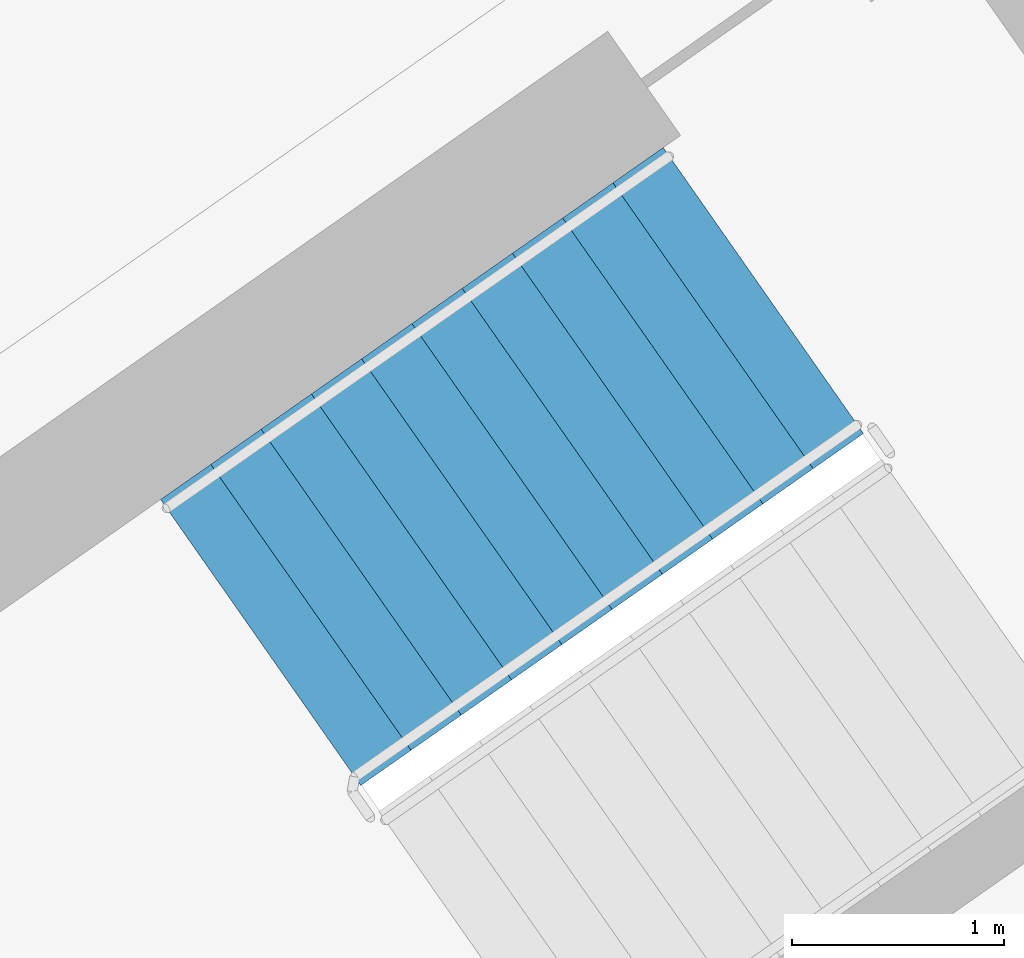
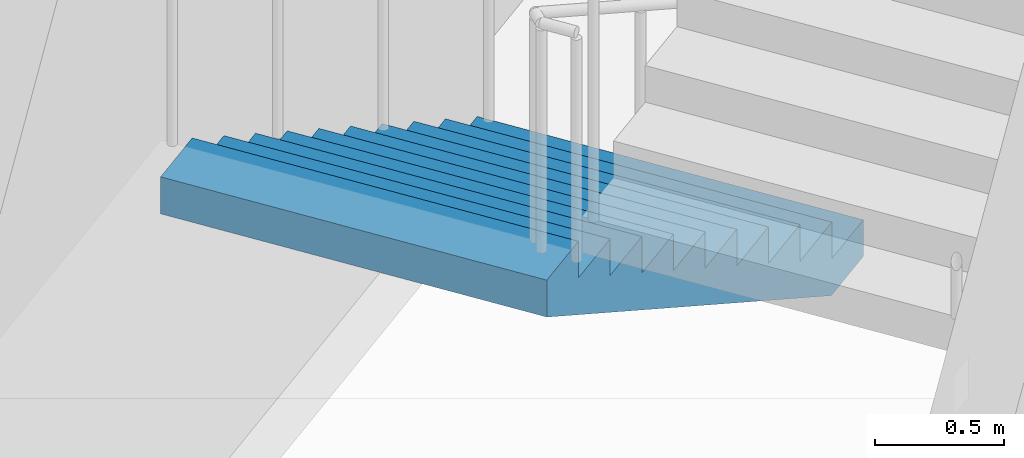
# One storey, part 16 of 27: 1 stair flight, 1 element without a shape of its own.
"""IFC4 building model written with IfcOpenShell, lengths in metres."""

from ifc_helpers import new_model, si_unit, direction, frame, origin, place, context, subcontext, project, spatial, faceted_brep, material, type_object, element, aggregate, save


model = new_model("IFC4")

# Units and contexts
model_context = context("Model", 3, precision=1e-05, world=origin(), true_north=direction((0.0, 1.0)))
body_context = subcontext(model_context, "Body", "Model", "MODEL_VIEW")
ifc_project = project(units=[si_unit("LENGTHUNIT", "METRE"), si_unit("AREAUNIT", "SQUARE_METRE"), si_unit("VOLUMEUNIT", "CUBIC_METRE"), si_unit("PLANEANGLEUNIT", "RADIAN"), si_unit("MASSUNIT", "GRAM", prefix="KILO")], contexts=[model_context])

# Site, building, storey
site_placement = place(None, origin())
site = spatial("IfcSite", under=ifc_project, at=site_placement, CompositionType="ELEMENT")
building_placement = place(site_placement, origin())
building = spatial("IfcBuilding", under=site, at=building_placement, Name="Qamariyya Broadcast Tower", CompositionType="ELEMENT")
storey_placement = place(building_placement, frame((0.0, 0.0, 172.10009765625)))
storey = spatial("IfcBuildingStorey", under=building, at=storey_placement, Name="L40", CompositionType="ELEMENT", Elevation=172.10009765625)

# Stair, stair flight
ifc_material = material(Name="Concrete C50/60", Category="concrete")
stair_type = type_object("IfcStairType", Name="Exit stair 22 risers of 173 mm", PredefinedType="HALF_TURN_STAIR", material=ifc_material)
stair_placement = place(storey_placement, origin())
stair = element("IfcStair", 1, at=stair_placement, inside=storey, type_object=stair_type, Name="L40 Stair E2", PredefinedType="HALF_TURN_STAIR")
stair_flight_type = type_object("IfcStairFlightType", Name="Exit stair flight 11 risers of 173 mm", PredefinedType="STRAIGHT", material=ifc_material)
stair_flight_placement = place(storey_placement, frame((40.558837890625, -47.685302734375, 0.0), z_axis=(0.0, 0.0, 1.0), x_axis=(-0.819152044289, -0.573576436351, 0.0)))
stair_flight = element("IfcStairFlight", 2, at=stair_flight_placement, type_object=stair_flight_type, Name="ST-E2 flight 1", NumberOfRisers=11, NumberOfTreads=10, PredefinedType="STRAIGHT", RiserHeight=0.172727273, TreadLength=0.29, context=body_context, shape_type="Brep", body=[
    faceted_brep([(0.0, 0.824951171875, 0.0), (0.0, 0.824951171875, 0.172607421875), (0.2900390625, 0.824951171875, 0.172607421875), (0.2900390625, 0.824951171875, 0.345458984375), (0.580078125, 0.824951171875, 0.345458984375), (0.580078125, 0.824951171875, 0.51806640625), (0.8701171875, 0.824951171875, 0.51806640625), (0.8701171875, 0.824951171875, 0.69091796875), (1.159912109375, 0.824951171875, 0.69091796875), (1.159912109375, 0.824951171875, 0.863525390625), (1.449951171875, 0.824951171875, 0.863525390625), (1.449951171875, 0.824951171875, 1.036376953125), (1.739990234375, 0.824951171875, 1.036376953125), (1.739990234375, 0.824951171875, 1.208984375), (2.030029296875, 0.824951171875, 1.208984375), (2.030029296875, 0.824951171875, 1.3818359375), (2.320068359375, 0.824951171875, 1.3818359375), (2.320068359375, 0.824951171875, 1.554443359375), (2.610107421875, 0.824951171875, 1.554443359375), (2.610107421875, 0.824951171875, 1.727294921875), (2.89990234375, 0.824951171875, 1.727294921875), (2.89990234375, 0.824951171875, 1.552734375), (0.29296875, 0.824951171875, 0.0), (0.29296875, -0.824951171875, 0.0), (2.89990234375, -0.824951171875, 1.552734375), (2.89990234375, -0.824951171875, 1.727294921875), (2.610107421875, -0.824951171875, 1.727294921875), (2.610107421875, -0.824951171875, 1.554443359375), (2.320068359375, -0.824951171875, 1.554443359375), (2.320068359375, -0.824951171875, 1.3818359375), (2.030029296875, -0.824951171875, 1.3818359375), (2.030029296875, -0.824951171875, 1.208984375), (1.739990234375, -0.824951171875, 1.208984375), (1.739990234375, -0.824951171875, 1.036376953125), (1.449951171875, -0.824951171875, 1.036376953125), (1.449951171875, -0.824951171875, 0.863525390625), (1.159912109375, -0.824951171875, 0.863525390625), (1.159912109375, -0.824951171875, 0.69091796875), (0.8701171875, -0.824951171875, 0.69091796875), (0.8701171875, -0.824951171875, 0.51806640625), (0.580078125, -0.824951171875, 0.51806640625), (0.580078125, -0.824951171875, 0.345458984375), (0.2900390625, -0.824951171875, 0.345458984375), (0.2900390625, -0.824951171875, 0.172607421875), (0.0, -0.824951171875, 0.172607421875), (0.0, -0.824951171875, 0.0), (0.0, 0.10009765625, 0.0), (0.0, 0.086669921875, 0.0), (0.0, 0.0732421875, 0.0), (0.0, 0.06005859375, 0.0), (0.0, 0.046630859375, 0.0), (0.0, 0.033447265625, 0.0), (0.0, 0.02001953125, 0.0), (0.0, 0.006591796875, 0.0), (0.0, -0.006591796875, 0.0), (0.0, -0.02001953125, 0.0), (0.0, -0.033447265625, 0.0), (0.0, -0.046630859375, 0.0), (0.0, -0.06005859375, 0.0), (0.0, -0.0732421875, 0.0), (0.0, -0.086669921875, 0.0), (0.0, -0.10009765625, 0.0), (0.0, -0.10009765625, 0.172607421875), (0.0, -0.086669921875, 0.172607421875), (0.0, -0.0732421875, 0.172607421875), (0.0, -0.06005859375, 0.172607421875), (0.0, -0.046630859375, 0.172607421875), (0.0, -0.033447265625, 0.172607421875), (0.0, -0.02001953125, 0.172607421875), (0.0, -0.006591796875, 0.172607421875), (0.0, 0.006591796875, 0.172607421875), (0.0, 0.02001953125, 0.172607421875), (0.0, 0.033447265625, 0.172607421875), (0.0, 0.046630859375, 0.172607421875), (0.0, 0.06005859375, 0.172607421875), (0.0, 0.0732421875, 0.172607421875), (0.0, 0.086669921875, 0.172607421875), (0.0, 0.10009765625, 0.172607421875), (0.2900390625, -0.10009765625, 0.172607421875), (0.2900390625, -0.086669921875, 0.172607421875), (0.2900390625, -0.0732421875, 0.172607421875), (0.2900390625, -0.06005859375, 0.172607421875), (0.2900390625, -0.046630859375, 0.172607421875), (0.2900390625, -0.033447265625, 0.172607421875), (0.2900390625, -0.02001953125, 0.172607421875), (0.2900390625, -0.006591796875, 0.172607421875), (0.2900390625, 0.006591796875, 0.172607421875), (0.2900390625, 0.02001953125, 0.172607421875), (0.2900390625, 0.033447265625, 0.172607421875), (0.2900390625, 0.046630859375, 0.172607421875), (0.2900390625, 0.06005859375, 0.172607421875), (0.2900390625, 0.0732421875, 0.172607421875), (0.2900390625, 0.086669921875, 0.172607421875), (0.2900390625, 0.10009765625, 0.172607421875), (0.2900390625, -0.10009765625, 0.345458984375), (0.2900390625, -0.086669921875, 0.345458984375), (0.2900390625, -0.0732421875, 0.345458984375), (0.2900390625, -0.06005859375, 0.345458984375), (0.2900390625, -0.046630859375, 0.345458984375), (0.2900390625, -0.033447265625, 0.345458984375), (0.2900390625, -0.02001953125, 0.345458984375), (0.2900390625, -0.006591796875, 0.345458984375), (0.2900390625, 0.006591796875, 0.345458984375), (0.2900390625, 0.02001953125, 0.345458984375), (0.2900390625, 0.033447265625, 0.345458984375), (0.2900390625, 0.046630859375, 0.345458984375), (0.2900390625, 0.06005859375, 0.345458984375), (0.2900390625, 0.0732421875, 0.345458984375), (0.2900390625, 0.086669921875, 0.345458984375), (0.2900390625, 0.10009765625, 0.345458984375), (0.580078125, -0.10009765625, 0.345458984375), (0.580078125, -0.086669921875, 0.345458984375), (0.580078125, -0.0732421875, 0.345458984375), (0.580078125, -0.06005859375, 0.345458984375), (0.580078125, -0.046630859375, 0.345458984375), (0.580078125, -0.033447265625, 0.345458984375), (0.580078125, -0.02001953125, 0.345458984375), (0.580078125, -0.006591796875, 0.345458984375), (0.580078125, 0.006591796875, 0.345458984375), (0.580078125, 0.02001953125, 0.345458984375), (0.580078125, 0.033447265625, 0.345458984375), (0.580078125, 0.046630859375, 0.345458984375), (0.580078125, 0.06005859375, 0.345458984375), (0.580078125, 0.0732421875, 0.345458984375), (0.580078125, 0.086669921875, 0.345458984375), (0.580078125, 0.10009765625, 0.345458984375), (0.580078125, -0.10009765625, 0.51806640625), (0.580078125, -0.086669921875, 0.51806640625), (0.580078125, -0.0732421875, 0.51806640625), (0.580078125, -0.06005859375, 0.51806640625), (0.580078125, -0.046630859375, 0.51806640625), (0.580078125, -0.033447265625, 0.51806640625), (0.580078125, -0.02001953125, 0.51806640625), (0.580078125, -0.006591796875, 0.51806640625), (0.580078125, 0.006591796875, 0.51806640625), (0.580078125, 0.02001953125, 0.51806640625), (0.580078125, 0.033447265625, 0.51806640625), (0.580078125, 0.046630859375, 0.51806640625), (0.580078125, 0.06005859375, 0.51806640625), (0.580078125, 0.0732421875, 0.51806640625), (0.580078125, 0.086669921875, 0.51806640625), (0.580078125, 0.10009765625, 0.51806640625), (0.8701171875, -0.10009765625, 0.51806640625), (0.8701171875, -0.086669921875, 0.51806640625), (0.8701171875, -0.0732421875, 0.51806640625), (0.8701171875, -0.06005859375, 0.51806640625), (0.8701171875, -0.046630859375, 0.51806640625), (0.8701171875, -0.033447265625, 0.51806640625), (0.8701171875, -0.02001953125, 0.51806640625), (0.8701171875, -0.006591796875, 0.51806640625), (0.8701171875, 0.006591796875, 0.51806640625), (0.8701171875, 0.02001953125, 0.51806640625), (0.8701171875, 0.033447265625, 0.51806640625), (0.8701171875, 0.046630859375, 0.51806640625), (0.8701171875, 0.06005859375, 0.51806640625), (0.8701171875, 0.0732421875, 0.51806640625), (0.8701171875, 0.086669921875, 0.51806640625), (0.8701171875, 0.10009765625, 0.51806640625), (0.8701171875, -0.10009765625, 0.69091796875), (0.8701171875, -0.086669921875, 0.69091796875), (0.8701171875, -0.0732421875, 0.69091796875), (0.8701171875, -0.06005859375, 0.69091796875), (0.8701171875, -0.046630859375, 0.69091796875), (0.8701171875, -0.033447265625, 0.69091796875), (0.8701171875, -0.02001953125, 0.69091796875), (0.8701171875, -0.006591796875, 0.69091796875), (0.8701171875, 0.006591796875, 0.69091796875), (0.8701171875, 0.02001953125, 0.69091796875), (0.8701171875, 0.033447265625, 0.69091796875), (0.8701171875, 0.046630859375, 0.69091796875), (0.8701171875, 0.06005859375, 0.69091796875), (0.8701171875, 0.0732421875, 0.69091796875), (0.8701171875, 0.086669921875, 0.69091796875), (0.8701171875, 0.10009765625, 0.69091796875), (1.159912109375, -0.10009765625, 0.69091796875), (1.159912109375, -0.086669921875, 0.69091796875), (1.159912109375, -0.0732421875, 0.69091796875), (1.159912109375, -0.06005859375, 0.69091796875), (1.159912109375, -0.046630859375, 0.69091796875), (1.159912109375, -0.033447265625, 0.69091796875), (1.159912109375, -0.02001953125, 0.69091796875), (1.159912109375, -0.006591796875, 0.69091796875), (1.159912109375, 0.006591796875, 0.69091796875), (1.159912109375, 0.02001953125, 0.69091796875), (1.159912109375, 0.033447265625, 0.69091796875), (1.159912109375, 0.046630859375, 0.69091796875), (1.159912109375, 0.06005859375, 0.69091796875), (1.159912109375, 0.0732421875, 0.69091796875), (1.159912109375, 0.086669921875, 0.69091796875), (1.159912109375, 0.10009765625, 0.69091796875), (1.159912109375, -0.10009765625, 0.863525390625), (1.159912109375, -0.086669921875, 0.863525390625), (1.159912109375, -0.0732421875, 0.863525390625), (1.159912109375, -0.06005859375, 0.863525390625), (1.159912109375, -0.046630859375, 0.863525390625), (1.159912109375, -0.033447265625, 0.863525390625), (1.159912109375, -0.02001953125, 0.863525390625), (1.159912109375, -0.006591796875, 0.863525390625), (1.159912109375, 0.006591796875, 0.863525390625), (1.159912109375, 0.02001953125, 0.863525390625), (1.159912109375, 0.033447265625, 0.863525390625), (1.159912109375, 0.046630859375, 0.863525390625), (1.159912109375, 0.06005859375, 0.863525390625), (1.159912109375, 0.0732421875, 0.863525390625), (1.159912109375, 0.086669921875, 0.863525390625), (1.159912109375, 0.10009765625, 0.863525390625), (1.449951171875, -0.10009765625, 0.863525390625), (1.449951171875, -0.086669921875, 0.863525390625), (1.449951171875, -0.0732421875, 0.863525390625), (1.449951171875, -0.06005859375, 0.863525390625), (1.449951171875, -0.046630859375, 0.863525390625), (1.449951171875, -0.033447265625, 0.863525390625), (1.449951171875, -0.02001953125, 0.863525390625), (1.449951171875, -0.006591796875, 0.863525390625), (1.449951171875, 0.006591796875, 0.863525390625), (1.449951171875, 0.02001953125, 0.863525390625), (1.449951171875, 0.033447265625, 0.863525390625), (1.449951171875, 0.046630859375, 0.863525390625), (1.449951171875, 0.06005859375, 0.863525390625), (1.449951171875, 0.0732421875, 0.863525390625), (1.449951171875, 0.086669921875, 0.863525390625), (1.449951171875, 0.10009765625, 0.863525390625), (1.449951171875, -0.10009765625, 1.036376953125), (1.449951171875, -0.086669921875, 1.036376953125), (1.449951171875, -0.0732421875, 1.036376953125), (1.449951171875, -0.06005859375, 1.036376953125), (1.449951171875, -0.046630859375, 1.036376953125), (1.449951171875, -0.033447265625, 1.036376953125), (1.449951171875, -0.02001953125, 1.036376953125), (1.449951171875, -0.006591796875, 1.036376953125), (1.449951171875, 0.006591796875, 1.036376953125), (1.449951171875, 0.02001953125, 1.036376953125), (1.449951171875, 0.033447265625, 1.036376953125), (1.449951171875, 0.046630859375, 1.036376953125), (1.449951171875, 0.06005859375, 1.036376953125), (1.449951171875, 0.0732421875, 1.036376953125), (1.449951171875, 0.086669921875, 1.036376953125), (1.449951171875, 0.10009765625, 1.036376953125), (1.739990234375, -0.10009765625, 1.036376953125), (1.739990234375, -0.086669921875, 1.036376953125), (1.739990234375, -0.0732421875, 1.036376953125), (1.739990234375, -0.06005859375, 1.036376953125), (1.739990234375, -0.046630859375, 1.036376953125), (1.739990234375, -0.033447265625, 1.036376953125), (1.739990234375, -0.02001953125, 1.036376953125), (1.739990234375, -0.006591796875, 1.036376953125), (1.739990234375, 0.006591796875, 1.036376953125), (1.739990234375, 0.02001953125, 1.036376953125), (1.739990234375, 0.033447265625, 1.036376953125), (1.739990234375, 0.046630859375, 1.036376953125), (1.739990234375, 0.06005859375, 1.036376953125), (1.739990234375, 0.0732421875, 1.036376953125), (1.739990234375, 0.086669921875, 1.036376953125), (1.739990234375, 0.10009765625, 1.036376953125), (1.739990234375, -0.10009765625, 1.208984375), (1.739990234375, -0.086669921875, 1.208984375), (1.739990234375, -0.0732421875, 1.208984375), (1.739990234375, -0.06005859375, 1.208984375), (1.739990234375, -0.046630859375, 1.208984375), (1.739990234375, -0.033447265625, 1.208984375), (1.739990234375, -0.02001953125, 1.208984375), (1.739990234375, -0.006591796875, 1.208984375), (1.739990234375, 0.006591796875, 1.208984375), (1.739990234375, 0.02001953125, 1.208984375), (1.739990234375, 0.033447265625, 1.208984375), (1.739990234375, 0.046630859375, 1.208984375), (1.739990234375, 0.06005859375, 1.208984375), (1.739990234375, 0.0732421875, 1.208984375), (1.739990234375, 0.086669921875, 1.208984375), (1.739990234375, 0.10009765625, 1.208984375), (2.030029296875, -0.10009765625, 1.208984375), (2.030029296875, -0.086669921875, 1.208984375), (2.030029296875, -0.0732421875, 1.208984375), (2.030029296875, -0.06005859375, 1.208984375), (2.030029296875, -0.046630859375, 1.208984375), (2.030029296875, -0.033447265625, 1.208984375), (2.030029296875, -0.02001953125, 1.208984375), (2.030029296875, -0.006591796875, 1.208984375), (2.030029296875, 0.006591796875, 1.208984375), (2.030029296875, 0.02001953125, 1.208984375), (2.030029296875, 0.033447265625, 1.208984375), (2.030029296875, 0.046630859375, 1.208984375), (2.030029296875, 0.06005859375, 1.208984375), (2.030029296875, 0.0732421875, 1.208984375), (2.030029296875, 0.086669921875, 1.208984375), (2.030029296875, 0.10009765625, 1.208984375), (2.030029296875, -0.10009765625, 1.3818359375), (2.030029296875, -0.086669921875, 1.3818359375), (2.030029296875, -0.0732421875, 1.3818359375), (2.030029296875, -0.06005859375, 1.3818359375), (2.030029296875, -0.046630859375, 1.3818359375), (2.030029296875, -0.033447265625, 1.3818359375), (2.030029296875, -0.02001953125, 1.3818359375), (2.030029296875, -0.006591796875, 1.3818359375), (2.030029296875, 0.006591796875, 1.3818359375), (2.030029296875, 0.02001953125, 1.3818359375), (2.030029296875, 0.033447265625, 1.3818359375), (2.030029296875, 0.046630859375, 1.3818359375), (2.030029296875, 0.06005859375, 1.3818359375), (2.030029296875, 0.0732421875, 1.3818359375), (2.030029296875, 0.086669921875, 1.3818359375), (2.030029296875, 0.10009765625, 1.3818359375), (2.320068359375, -0.10009765625, 1.3818359375), (2.320068359375, -0.086669921875, 1.3818359375), (2.320068359375, -0.0732421875, 1.3818359375), (2.320068359375, -0.06005859375, 1.3818359375), (2.320068359375, -0.046630859375, 1.3818359375), (2.320068359375, -0.033447265625, 1.3818359375), (2.320068359375, -0.02001953125, 1.3818359375), (2.320068359375, -0.006591796875, 1.3818359375), (2.320068359375, 0.006591796875, 1.3818359375), (2.320068359375, 0.02001953125, 1.3818359375), (2.320068359375, 0.033447265625, 1.3818359375), (2.320068359375, 0.046630859375, 1.3818359375), (2.320068359375, 0.06005859375, 1.3818359375), (2.320068359375, 0.0732421875, 1.3818359375), (2.320068359375, 0.086669921875, 1.3818359375), (2.320068359375, 0.10009765625, 1.3818359375), (2.320068359375, -0.10009765625, 1.554443359375), (2.320068359375, -0.086669921875, 1.554443359375), (2.320068359375, -0.0732421875, 1.554443359375), (2.320068359375, -0.06005859375, 1.554443359375), (2.320068359375, -0.046630859375, 1.554443359375), (2.320068359375, -0.033447265625, 1.554443359375), (2.320068359375, -0.02001953125, 1.554443359375), (2.320068359375, -0.006591796875, 1.554443359375), (2.320068359375, 0.006591796875, 1.554443359375), (2.320068359375, 0.02001953125, 1.554443359375), (2.320068359375, 0.033447265625, 1.554443359375), (2.320068359375, 0.046630859375, 1.554443359375), (2.320068359375, 0.06005859375, 1.554443359375), (2.320068359375, 0.0732421875, 1.554443359375), (2.320068359375, 0.086669921875, 1.554443359375), (2.320068359375, 0.10009765625, 1.554443359375), (2.610107421875, -0.10009765625, 1.554443359375), (2.610107421875, -0.086669921875, 1.554443359375), (2.610107421875, -0.0732421875, 1.554443359375), (2.610107421875, -0.06005859375, 1.554443359375), (2.610107421875, -0.046630859375, 1.554443359375), (2.610107421875, -0.033447265625, 1.554443359375), (2.610107421875, -0.02001953125, 1.554443359375), (2.610107421875, -0.006591796875, 1.554443359375), (2.610107421875, 0.006591796875, 1.554443359375), (2.610107421875, 0.02001953125, 1.554443359375), (2.610107421875, 0.033447265625, 1.554443359375), (2.610107421875, 0.046630859375, 1.554443359375), (2.610107421875, 0.06005859375, 1.554443359375), (2.610107421875, 0.0732421875, 1.554443359375), (2.610107421875, 0.086669921875, 1.554443359375), (2.610107421875, 0.10009765625, 1.554443359375), (2.610107421875, -0.10009765625, 1.727294921875), (2.610107421875, -0.086669921875, 1.727294921875), (2.610107421875, -0.0732421875, 1.727294921875), (2.610107421875, -0.06005859375, 1.727294921875), (2.610107421875, -0.046630859375, 1.727294921875), (2.610107421875, -0.033447265625, 1.727294921875), (2.610107421875, -0.02001953125, 1.727294921875), (2.610107421875, -0.006591796875, 1.727294921875), (2.610107421875, 0.006591796875, 1.727294921875), (2.610107421875, 0.02001953125, 1.727294921875), (2.610107421875, 0.033447265625, 1.727294921875), (2.610107421875, 0.046630859375, 1.727294921875), (2.610107421875, 0.06005859375, 1.727294921875), (2.610107421875, 0.0732421875, 1.727294921875), (2.610107421875, 0.086669921875, 1.727294921875), (2.610107421875, 0.10009765625, 1.727294921875), (2.89990234375, -0.10009765625, 1.727294921875), (2.89990234375, -0.086669921875, 1.727294921875), (2.89990234375, -0.0732421875, 1.727294921875), (2.89990234375, -0.06005859375, 1.727294921875), (2.89990234375, -0.046630859375, 1.727294921875), (2.89990234375, -0.033447265625, 1.727294921875), (2.89990234375, -0.02001953125, 1.727294921875), (2.89990234375, -0.006591796875, 1.727294921875), (2.89990234375, 0.006591796875, 1.727294921875), (2.89990234375, 0.02001953125, 1.727294921875), (2.89990234375, 0.033447265625, 1.727294921875), (2.89990234375, 0.046630859375, 1.727294921875), (2.89990234375, 0.06005859375, 1.727294921875), (2.89990234375, 0.0732421875, 1.727294921875), (2.89990234375, 0.086669921875, 1.727294921875), (2.89990234375, 0.10009765625, 1.727294921875), (2.89990234375, -0.10009765625, 1.552734375), (2.89990234375, -0.086669921875, 1.552734375), (2.89990234375, -0.0732421875, 1.552734375), (2.89990234375, -0.06005859375, 1.552734375), (2.89990234375, -0.046630859375, 1.552734375), (2.89990234375, -0.033447265625, 1.552734375), (2.89990234375, -0.02001953125, 1.552734375), (2.89990234375, -0.006591796875, 1.552734375), (2.89990234375, 0.006591796875, 1.552734375), (2.89990234375, 0.02001953125, 1.552734375), (2.89990234375, 0.033447265625, 1.552734375), (2.89990234375, 0.046630859375, 1.552734375), (2.89990234375, 0.06005859375, 1.552734375), (2.89990234375, 0.0732421875, 1.552734375), (2.89990234375, 0.086669921875, 1.552734375), (2.89990234375, 0.10009765625, 1.552734375), (0.29296875, -0.10009765625, 0.0), (0.29296875, -0.086669921875, 0.0), (0.29296875, -0.0732421875, 0.0), (0.29296875, -0.06005859375, 0.0), (0.29296875, -0.046630859375, 0.0), (0.29296875, -0.033447265625, 0.0), (0.29296875, -0.02001953125, 0.0), (0.29296875, -0.006591796875, 0.0), (0.29296875, 0.006591796875, 0.0), (0.29296875, 0.02001953125, 0.0), (0.29296875, 0.033447265625, 0.0), (0.29296875, 0.046630859375, 0.0), (0.29296875, 0.06005859375, 0.0), (0.29296875, 0.0732421875, 0.0), (0.29296875, 0.086669921875, 0.0), (0.29296875, 0.10009765625, 0.0)], [[[0, 1, 2, 3, 4, 5, 6, 7, 8, 9, 10, 11, 12, 13, 14, 15, 16, 17, 18, 19, 20, 21, 22]], [[23, 24, 25, 26, 27, 28, 29, 30, 31, 32, 33, 34, 35, 36, 37, 38, 39, 40, 41, 42, 43, 44, 45]], [[0, 46, 47, 48, 49, 50, 51, 52, 53, 54, 55, 56, 57, 58, 59, 60, 61, 45, 44, 62, 63, 64, 65, 66, 67, 68, 69, 70, 71, 72, 73, 74, 75, 76, 77, 1]], [[1, 77, 76, 75, 74, 73, 72, 71, 70, 69, 68, 67, 66, 65, 64, 63, 62, 44, 43, 78, 79, 80, 81, 82, 83, 84, 85, 86, 87, 88, 89, 90, 91, 92, 93, 2]], [[2, 93, 92, 91, 90, 89, 88, 87, 86, 85, 84, 83, 82, 81, 80, 79, 78, 43, 42, 94, 95, 96, 97, 98, 99, 100, 101, 102, 103, 104, 105, 106, 107, 108, 109, 3]], [[3, 109, 108, 107, 106, 105, 104, 103, 102, 101, 100, 99, 98, 97, 96, 95, 94, 42, 41, 110, 111, 112, 113, 114, 115, 116, 117, 118, 119, 120, 121, 122, 123, 124, 125, 4]], [[4, 125, 124, 123, 122, 121, 120, 119, 118, 117, 116, 115, 114, 113, 112, 111, 110, 41, 40, 126, 127, 128, 129, 130, 131, 132, 133, 134, 135, 136, 137, 138, 139, 140, 141, 5]], [[5, 141, 140, 139, 138, 137, 136, 135, 134, 133, 132, 131, 130, 129, 128, 127, 126, 40, 39, 142, 143, 144, 145, 146, 147, 148, 149, 150, 151, 152, 153, 154, 155, 156, 157, 6]], [[6, 157, 156, 155, 154, 153, 152, 151, 150, 149, 148, 147, 146, 145, 144, 143, 142, 39, 38, 158, 159, 160, 161, 162, 163, 164, 165, 166, 167, 168, 169, 170, 171, 172, 173, 7]], [[7, 173, 172, 171, 170, 169, 168, 167, 166, 165, 164, 163, 162, 161, 160, 159, 158, 38, 37, 174, 175, 176, 177, 178, 179, 180, 181, 182, 183, 184, 185, 186, 187, 188, 189, 8]], [[8, 189, 188, 187, 186, 185, 184, 183, 182, 181, 180, 179, 178, 177, 176, 175, 174, 37, 36, 190, 191, 192, 193, 194, 195, 196, 197, 198, 199, 200, 201, 202, 203, 204, 205, 9]], [[9, 205, 204, 203, 202, 201, 200, 199, 198, 197, 196, 195, 194, 193, 192, 191, 190, 36, 35, 206, 207, 208, 209, 210, 211, 212, 213, 214, 215, 216, 217, 218, 219, 220, 221, 10]], [[10, 221, 220, 219, 218, 217, 216, 215, 214, 213, 212, 211, 210, 209, 208, 207, 206, 35, 34, 222, 223, 224, 225, 226, 227, 228, 229, 230, 231, 232, 233, 234, 235, 236, 237, 11]], [[11, 237, 236, 235, 234, 233, 232, 231, 230, 229, 228, 227, 226, 225, 224, 223, 222, 34, 33, 238, 239, 240, 241, 242, 243, 244, 245, 246, 247, 248, 249, 250, 251, 252, 253, 12]], [[12, 253, 252, 251, 250, 249, 248, 247, 246, 245, 244, 243, 242, 241, 240, 239, 238, 33, 32, 254, 255, 256, 257, 258, 259, 260, 261, 262, 263, 264, 265, 266, 267, 268, 269, 13]], [[13, 269, 268, 267, 266, 265, 264, 263, 262, 261, 260, 259, 258, 257, 256, 255, 254, 32, 31, 270, 271, 272, 273, 274, 275, 276, 277, 278, 279, 280, 281, 282, 283, 284, 285, 14]], [[14, 285, 284, 283, 282, 281, 280, 279, 278, 277, 276, 275, 274, 273, 272, 271, 270, 31, 30, 286, 287, 288, 289, 290, 291, 292, 293, 294, 295, 296, 297, 298, 299, 300, 301, 15]], [[15, 301, 300, 299, 298, 297, 296, 295, 294, 293, 292, 291, 290, 289, 288, 287, 286, 30, 29, 302, 303, 304, 305, 306, 307, 308, 309, 310, 311, 312, 313, 314, 315, 316, 317, 16]], [[16, 317, 316, 315, 314, 313, 312, 311, 310, 309, 308, 307, 306, 305, 304, 303, 302, 29, 28, 318, 319, 320, 321, 322, 323, 324, 325, 326, 327, 328, 329, 330, 331, 332, 333, 17]], [[17, 333, 332, 331, 330, 329, 328, 327, 326, 325, 324, 323, 322, 321, 320, 319, 318, 28, 27, 334, 335, 336, 337, 338, 339, 340, 341, 342, 343, 344, 345, 346, 347, 348, 349, 18]], [[18, 349, 348, 347, 346, 345, 344, 343, 342, 341, 340, 339, 338, 337, 336, 335, 334, 27, 26, 350, 351, 352, 353, 354, 355, 356, 357, 358, 359, 360, 361, 362, 363, 364, 365, 19]], [[19, 365, 364, 363, 362, 361, 360, 359, 358, 357, 356, 355, 354, 353, 352, 351, 350, 26, 25, 366, 367, 368, 369, 370, 371, 372, 373, 374, 375, 376, 377, 378, 379, 380, 381, 20]], [[20, 381, 380, 379, 378, 377, 376, 375, 374, 373, 372, 371, 370, 369, 368, 367, 366, 25, 24, 382, 383, 384, 385, 386, 387, 388, 389, 390, 391, 392, 393, 394, 395, 396, 397, 21]], [[21, 397, 396, 395, 394, 393, 392, 391, 390, 389, 388, 387, 386, 385, 384, 383, 382, 24, 23, 398, 399, 400, 401, 402, 403, 404, 405, 406, 407, 408, 409, 410, 411, 412, 413, 22]], [[22, 413, 412, 411, 410, 409, 408, 407, 406, 405, 404, 403, 402, 401, 400, 399, 398, 23, 45, 61, 60, 59, 58, 57, 56, 55, 54, 53, 52, 51, 50, 49, 48, 47, 46, 0]]]),
])
aggregate(stair, [stair_flight])

save(model, "model.ifc")
